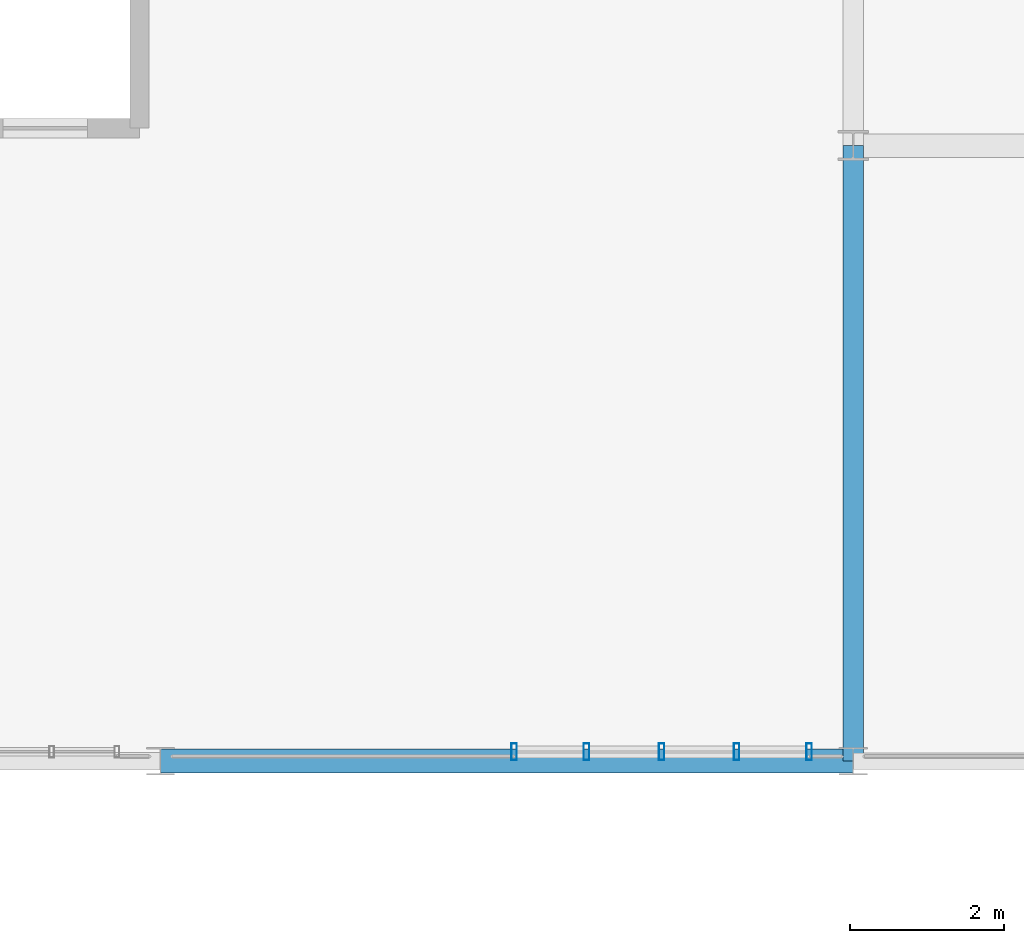
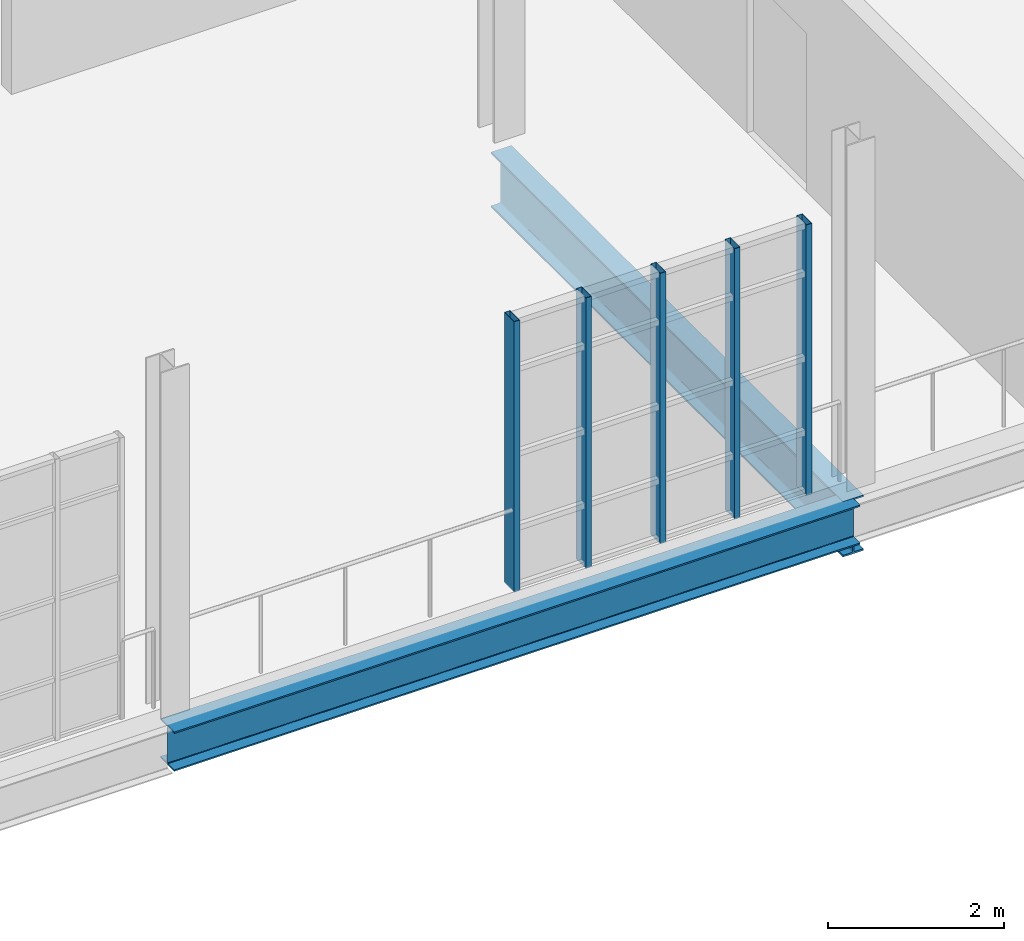
# One storey, part 26 of 118: 5 members, 2 beams, 1 element without a shape of its own.
"""IFC4 building model written with IfcOpenShell, lengths in metres."""

from ifc_helpers import new_model, si_unit, direction, frame, origin, origin_2d, place, context, subcontext, project, spatial, hollow_rectangle, i_section, extrude, material, layer, layer_set, material_profile, profile_set, type_object, element, aggregate, save


model = new_model("IFC4")

# Units and contexts
model_context = context("Model", 3, precision=1e-05, world=origin(), true_north=direction((0.0, 1.0)))
body_context = subcontext(model_context, "Body", "Model", "MODEL_VIEW")
ifc_project = project(units=[si_unit("LENGTHUNIT", "METRE"), si_unit("AREAUNIT", "SQUARE_METRE"), si_unit("VOLUMEUNIT", "CUBIC_METRE"), si_unit("PLANEANGLEUNIT", "RADIAN"), si_unit("MASSUNIT", "GRAM", prefix="KILO"), si_unit("THERMODYNAMICTEMPERATUREUNIT", "KELVIN"), si_unit("POWERUNIT", "WATT")], contexts=[model_context])

# Site, building, storey
site_placement = place(None, origin())
site = spatial("IfcSite", under=ifc_project, at=site_placement, CompositionType="ELEMENT")
building_placement = place(site_placement, origin())
building = spatial("IfcBuilding", under=site, at=building_placement, Name="Zelmaris Science Centre", CompositionType="ELEMENT")
storey_placement = place(building_placement, frame((0.0, 0.0, 15.60009765625)))
storey = spatial("IfcBuildingStorey", under=building, at=storey_placement, Name="L03", CompositionType="ELEMENT", Elevation=15.60009765625)

# Curtain wall, members
ifc_material_1 = material(Name="Anodised architectural aluminium 6063-T6", Category="aluminium")
ifc_layer = layer(ifc_material_1, 0.199951171875, Name="Anodised architectural aluminium 6063-T6")
ifc_layer_set = layer_set([ifc_layer], Name="Anodised architectural aluminium 6063-T6")
curtain_wall_type = type_object("IfcCurtainWallType", Name="Curtain Wall CW-02", PredefinedType="USERDEFINED", material=ifc_layer_set)
curtain_wall_placement = place(storey_placement, origin())
curtain_wall = element("IfcCurtainWall", 1, at=curtain_wall_placement, inside=storey, type_object=curtain_wall_type, Name="L03 Unitised curtain wall 318", ObjectType="GLAZED CURTAIN WALL", PredefinedType="USERDEFINED")
ifc_material_profile_1 = material_profile(ifc_material_1, hollow_rectangle(XDim=0.074951171875, YDim=0.219970703125, WallThickness=0.0048828125, at=origin_2d()), Name="ALU-MUL-75X220")
ifc_profile_set_1 = profile_set([ifc_material_profile_1], Name="Anodised architectural aluminium 6063-T6")
member_type = type_object("IfcMemberType", Name="ALU-MUL-75X220", PredefinedType="MULLION", material=ifc_profile_set_1)
member_1_placement = place(storey_placement, frame((71.426513671875, 64.1201171875, -0.01513671875), z_axis=(0.0, 0.0, 1.0), x_axis=(-0.999999999994, 3.490659e-06, 0.0)))
member_1 = element("IfcMember", 2, at=member_1_placement, type_object=member_type, Name="CW-02 mullion 1", PredefinedType="MULLION", context=body_context, shape_type="SweptSolid", body=[
    extrude(hollow_rectangle(XDim=0.074951171875, YDim=0.219970703125, WallThickness=0.0048828125, at=origin_2d()), origin(), (0.0, 0.0, 1.0), 3.7529296875),
])
member_2_placement = place(storey_placement, frame((70.485107421875, 64.1201171875, -0.01513671875), z_axis=(0.0, 0.0, 1.0), x_axis=(-0.999999999994, 3.490659e-06, 0.0)))
member_2 = element("IfcMember", 3, at=member_2_placement, type_object=member_type, Name="CW-02 mullion 2", PredefinedType="MULLION", context=body_context, shape_type="SweptSolid", body=[
    extrude(hollow_rectangle(XDim=0.074951171875, YDim=0.219970703125, WallThickness=0.0048828125, at=origin_2d()), origin(), (0.0, 0.0, 1.0), 3.7529296875),
])
member_3_placement = place(storey_placement, frame((69.510009765625, 64.1201171875, -0.01513671875), z_axis=(0.0, 0.0, 1.0), x_axis=(-0.999999999994, 3.490659e-06, 0.0)))
member_3 = element("IfcMember", 4, at=member_3_placement, type_object=member_type, Name="CW-02 mullion 3", PredefinedType="MULLION", context=body_context, shape_type="SweptSolid", body=[
    extrude(hollow_rectangle(XDim=0.074951171875, YDim=0.219970703125, WallThickness=0.0048828125, at=origin_2d()), origin(), (0.0, 0.0, 1.0), 3.7529296875),
])
member_4_placement = place(storey_placement, frame((68.534912109375, 64.1201171875, -0.01513671875), z_axis=(0.0, 0.0, 1.0), x_axis=(-0.999999999994, 3.490659e-06, 0.0)))
member_4 = element("IfcMember", 5, at=member_4_placement, type_object=member_type, Name="CW-02 mullion 4", PredefinedType="MULLION", context=body_context, shape_type="SweptSolid", body=[
    extrude(hollow_rectangle(XDim=0.074951171875, YDim=0.219970703125, WallThickness=0.0048828125, at=origin_2d()), origin(), (0.0, 0.0, 1.0), 3.7529296875),
])
member_5_placement = place(storey_placement, frame((67.593505859375, 64.1201171875, -0.01513671875), z_axis=(0.0, 0.0, 1.0), x_axis=(-0.999999999994, 3.490659e-06, 0.0)))
member_5 = element("IfcMember", 6, at=member_5_placement, type_object=member_type, Name="CW-02 mullion 5", PredefinedType="MULLION", context=body_context, shape_type="SweptSolid", body=[
    extrude(hollow_rectangle(XDim=0.074951171875, YDim=0.219970703125, WallThickness=0.0048828125, at=origin_2d()), origin(), (0.0, 0.0, 1.0), 3.7529296875),
])
aggregate(curtain_wall, [member_1, member_2, member_3, member_4, member_5])

# Beams
ifc_material_2 = material(Name="Steel ASTM A992 Grade 50", Category="steel")
ifc_material_profile_2 = material_profile(ifc_material_2, i_section(OverallWidth=0.26708984375, OverallDepth=0.77001953125, WebThickness=0.015625, FlangeThickness=0.025390625, FilletRadius=0.01904296875, at=origin_2d()), Name="W30X132")
ifc_profile_set_2 = profile_set([ifc_material_profile_2], Name="Steel ASTM A992 Grade 50")
beam_type_1 = type_object("IfcBeamType", Name="Beam G-09 W30X132", PredefinedType="BEAM", material=ifc_profile_set_2)
beam_1_placement = place(storey_placement, frame((72.0, 64.0, -0.64501953125), z_axis=(0.0, 1.0, 0.0), x_axis=(-1.0, 0.0, 0.0)))
element("IfcBeam", 7, at=beam_1_placement, inside=storey, type_object=beam_type_1, Name="L03 North-south girder 686", PredefinedType="BEAM", context=body_context, shape_type="SweptSolid", body=[
    extrude(i_section(OverallWidth=0.26708984375, OverallDepth=0.77001953125, WebThickness=0.015625, FlangeThickness=0.025390625, FilletRadius=0.01904296875, at=origin_2d()), origin(), (0.0, 0.0, 1.0), 8.0),
])
ifc_material_profile_3 = material_profile(ifc_material_2, i_section(OverallWidth=0.31201171875, OverallDepth=0.5439453125, WebThickness=0.0126953125, FlangeThickness=0.020263671875, FilletRadius=0.013916015625, at=origin_2d()), Name="W21X101")
ifc_profile_set_3 = profile_set([ifc_material_profile_3], Name="Steel ASTM A992 Grade 50")
beam_type_2 = type_object("IfcBeamType", Name="Beam G-18 W21X101", PredefinedType="BEAM", material=ifc_profile_set_3)
beam_2_placement = place(storey_placement, frame((63.0, 64.0, -0.531982421875), z_axis=(1.0, 0.0, 0.0), x_axis=(0.0, 1.0, 0.0)))
element("IfcBeam", 8, at=beam_2_placement, inside=storey, type_object=beam_type_2, Name="L03 East-west girder 755", PredefinedType="BEAM", context=body_context, shape_type="SweptSolid", body=[
    extrude(i_section(OverallWidth=0.31201171875, OverallDepth=0.5439453125, WebThickness=0.0126953125, FlangeThickness=0.020263671875, FilletRadius=0.013916015625, at=origin_2d()), origin(), (0.0, 0.0, 1.0), 9.0),
])

save(model, "model.ifc")
